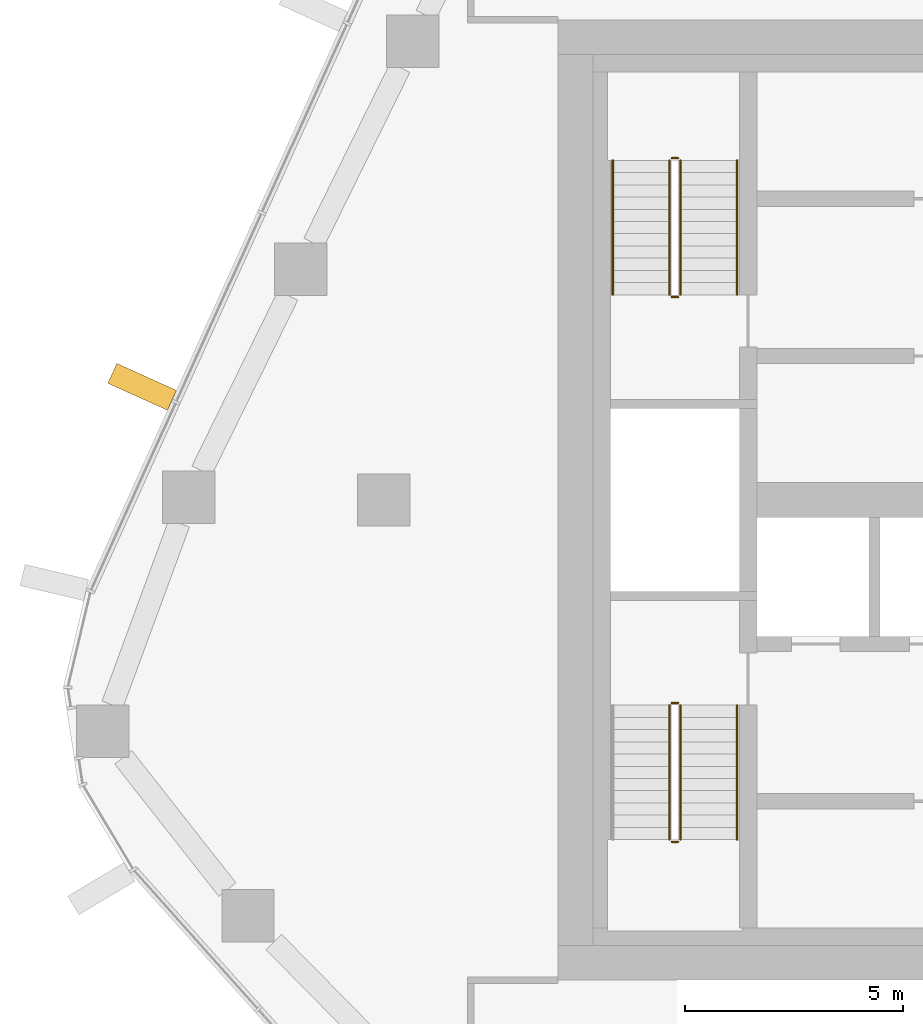
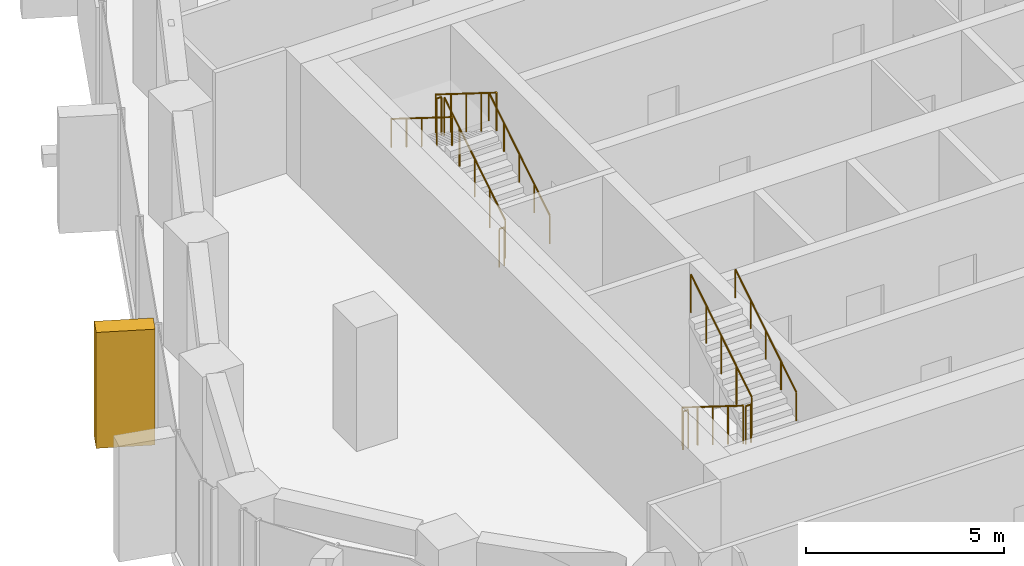
# One storey, part 15 of 17: 11 railings, 1 covering, 1 element without a shape of its own.
"""IFC4 building model written with IfcOpenShell, lengths in metres."""

import ifcopenshell
import ifcopenshell.guid

model = None  # the IFC model being written
_history = None  # IfcOwnerHistory: only IFC2X3 demands one
_inside = {}  # id of a spatial element -> (the spatial element, [elements in it])
_under = {}  # id of a project, library or spatial element -> (it, [spatial elements below it])
_declared = {}  # id of a project -> (the project, [libraries it declares])
_typed = {}  # id of a type object -> (the type object, [elements of that type])
_made_of = {}  # id of a material, layer set ... -> (it, [elements and type objects made of it])


def new_model(schema):
    """Start an empty IFC model of exactly this schema.

    Asked for "IFC4X3", IfcOpenShell would pick the latest addendum, in which some entities
    have other attributes; the version numbers below select the first issue.
    IFC2X3 requires an IfcOwnerHistory on every rooted entity: one is made here for all.
    """
    global model, _history
    if schema == "IFC4X3":
        model = ifcopenshell.file(schema_version=(4, 3, 0, 0))
    else:
        model = ifcopenshell.file(schema=schema)
    _inside.clear()
    _under.clear()
    _declared.clear()
    _typed.clear()
    _made_of.clear()
    _history = None
    if model.schema == "IFC2X3":
        org = make("IfcOrganization", Name="unknown")
        user = make(
            "IfcPersonAndOrganization",
            ThePerson=make("IfcPerson", FamilyName="unknown"),
            TheOrganization=org,
        )
        app = make(
            "IfcApplication",
            ApplicationDeveloper=org,
            Version="unknown",
            ApplicationFullName="unknown",
            ApplicationIdentifier="unknown",
        )
        _history = make(
            "IfcOwnerHistory",
            OwningUser=user,
            OwningApplication=app,
            ChangeAction="ADDED",
            CreationDate=0,
        )
    return model


def make(cls, **values):
    """One entity of the class cls with the attributes given. An attribute that is None is left unset."""
    return model.create_entity(
        cls, **{name: value for name, value in values.items() if value is not None}
    )


def rooted(cls, **values):
    """An entity with a GlobalId (a new one), such as an element, a storey or a relation."""
    return make(cls, GlobalId=ifcopenshell.guid.new(), OwnerHistory=_history, **values)


def si_unit(unit_type, name, prefix=None):
    """IfcSIUnit, for example si_unit("LENGTHUNIT", "METRE", prefix="MILLI")."""
    return make("IfcSIUnit", UnitType=unit_type, Prefix=prefix, Name=name)


def assignment(units):
    """IfcUnitAssignment: the units of a project."""
    return None if units is None else make("IfcUnitAssignment", Units=units)


def point(xyz):
    """IfcCartesianPoint."""
    return None if xyz is None else make("IfcCartesianPoint", Coordinates=xyz)


def direction(xyz):
    """IfcDirection."""
    return None if xyz is None else make("IfcDirection", DirectionRatios=xyz)


def frame(location, z_axis=None, x_axis=None):
    """IfcAxis2Placement3D, a coordinate frame: its origin and axes. An axis left out is left unset."""
    return make(
        "IfcAxis2Placement3D",
        Location=point(location),
        Axis=direction(z_axis),
        RefDirection=direction(x_axis),
    )


def frame_2d(location, x_axis=None):
    """IfcAxis2Placement2D, a coordinate frame in the plane: its origin and x axis."""
    return make(
        "IfcAxis2Placement2D", Location=point(location), RefDirection=direction(x_axis)
    )


def origin():
    """The frame at (0, 0, 0) with its axes left unset."""
    return frame((0.0, 0.0, 0.0))


def origin_2d():
    """The frame at (0, 0) in the plane with its x axis left unset."""
    return frame_2d((0.0, 0.0))


def place(relative_to, where):
    """IfcLocalPlacement: puts the frame where relative to a parent placement (None: the world)."""
    return make(
        "IfcLocalPlacement", PlacementRelTo=relative_to, RelativePlacement=where
    )


def context(
    kind, dimensions, precision=None, world=None, true_north=None, identifier=None
):
    """IfcGeometricRepresentationContext, for example the 3D "Model" context."""
    return make(
        "IfcGeometricRepresentationContext",
        ContextIdentifier=identifier,
        ContextType=kind,
        CoordinateSpaceDimension=dimensions,
        Precision=precision,
        WorldCoordinateSystem=world,
        TrueNorth=true_north,
    )


def subcontext(parent, identifier, kind, view, scale=None):
    """IfcGeometricRepresentationSubContext, for example "Body" below "Model"."""
    return make(
        "IfcGeometricRepresentationSubContext",
        ContextIdentifier=identifier,
        ContextType=kind,
        ParentContext=parent,
        TargetScale=scale,
        TargetView=view,
    )


def project(units=None, contexts=None):
    """IfcProject with its units and contexts."""
    return rooted(
        "IfcProject",
        Name="project",
        RepresentationContexts=contexts,
        UnitsInContext=assignment(units),
    )


def spatial(cls, under=None, at=None, **own):
    """A site, building, storey or space (cls), placed at a placement, below another one or the project."""
    s = rooted(cls, ObjectPlacement=at, **own)
    if under is not None:
        _under.setdefault(under.id(), (under, []))[1].append(s)
    return s


def profile(cls, at=None, kind="AREA", **sizes):
    """A parametric profile (cls). Its sizes go by their IFC names, for example OverallWidth=200.0."""
    return make(cls, ProfileType=kind, Position=at, **sizes)


def rectangle(**sizes):
    """IfcRectangleProfileDef."""
    return profile("IfcRectangleProfileDef", **sizes)


def circle(**sizes):
    """IfcCircleProfileDef."""
    return profile("IfcCircleProfileDef", **sizes)


def extrude(swept, where, along, depth):
    """IfcExtrudedAreaSolid: the profile swept, set in the frame where, extruded along a direction by depth."""
    return make(
        "IfcExtrudedAreaSolid",
        SweptArea=swept,
        Position=where,
        ExtrudedDirection=direction(along),
        Depth=depth,
    )


def shape(context_of_items, identifier, shape_type, items):
    """IfcShapeRepresentation: the items that make up one representation, for example the "Body"."""
    return make(
        "IfcShapeRepresentation",
        ContextOfItems=context_of_items,
        RepresentationIdentifier=identifier,
        RepresentationType=shape_type,
        Items=items,
    )


def material(Name=None, Category=None):
    """IfcMaterial."""
    return make("IfcMaterial", Name=Name, Category=Category)


def layer(
    of_material, thickness, ventilated=None, Name=None, Category=None, Priority=None
):
    """IfcMaterialLayer: one layer of a wall or slab, of a material (None: an air gap)."""
    return make(
        "IfcMaterialLayer",
        Material=of_material,
        LayerThickness=thickness,
        IsVentilated=ventilated,
        Name=Name,
        Category=Category,
        Priority=Priority,
    )


def layer_set(layers, Name=None):
    """IfcMaterialLayerSet."""
    return make("IfcMaterialLayerSet", MaterialLayers=layers, LayerSetName=Name)


def material_profile(
    of_material, cross_section, Name=None, Category=None, Priority=None
):
    """IfcMaterialProfile: a cross section and its material."""
    return make(
        "IfcMaterialProfile",
        Name=Name,
        Material=of_material,
        Profile=cross_section,
        Priority=Priority,
        Category=Category,
    )


def profile_set(profiles, Name=None, composite=None):
    """IfcMaterialProfileSet."""
    return make(
        "IfcMaterialProfileSet",
        Name=Name,
        MaterialProfiles=profiles,
        CompositeProfile=composite,
    )


def made_of(thing, what):
    """Note that an element or type object is made of a material, layer set ...; save() writes the relation."""
    if what is not None:
        _made_of.setdefault(what.id(), (what, []))[1].append(thing)
    return thing


def type_object(cls, material=None, **own):
    """A type object (cls), such as IfcWallType, which elements share."""
    return made_of(rooted(cls, **own), material)


def element(
    cls,
    number,
    at=None,
    inside=None,
    cuts=None,
    type_object=None,
    material=None,
    context=None,
    identifier="Body",
    shape_type=None,
    held_by="IfcProductDefinitionShape",
    body=None,
    shapes=None,
    **own,
):
    """One element of the class cls, such as IfcWall. Its Tag is "e" and its number.

    at: its placement. inside: the storey or other place that contains it. cuts: it is an
    opening in that element (IfcRelVoidsElement). A single representation is given by context,
    identifier, shape_type and body (its items); several are given by shapes. held_by: the class
    of the entity that holds the representations. save() writes the other relations.
    """
    e = rooted(cls, Tag="e%d" % number, ObjectPlacement=at, **own)
    if body is not None:
        shapes = [shape(context, identifier, shape_type, body)]
    if shapes is not None:
        e.Representation = make(held_by, Representations=shapes)
    if inside is not None:
        _inside.setdefault(inside.id(), (inside, []))[1].append(e)
    if cuts is not None:
        rooted(
            "IfcRelVoidsElement", RelatingBuildingElement=cuts, RelatedOpeningElement=e
        )
    if type_object is not None:
        _typed.setdefault(type_object.id(), (type_object, []))[1].append(e)
    return made_of(e, material)


def aggregate(whole, parts):
    """IfcRelAggregates: a whole, such as a stair, and the parts it consists of."""
    return rooted("IfcRelAggregates", RelatingObject=whole, RelatedObjects=parts)


def save(model, path):
    """Write the relations noted so far, then the file.

    IfcRelAggregates (storeys below a building ...), IfcRelContainedInSpatialStructure (elements
    in a storey), IfcRelDefinesByType, IfcRelAssociatesMaterial and IfcRelDeclares: one each for
    every whole, place, type object, material and project.
    """
    for whole, parts in _under.values():
        aggregate(whole, parts)
    for where, things in _inside.values():
        rooted(
            "IfcRelContainedInSpatialStructure",
            RelatedElements=things,
            RelatingStructure=where,
        )
    for kind, things in _typed.values():
        rooted("IfcRelDefinesByType", RelatedObjects=things, RelatingType=kind)
    for what, things in _made_of.values():
        rooted("IfcRelAssociatesMaterial", RelatedObjects=things, RelatingMaterial=what)
    for by, libraries in _declared.values():
        rooted("IfcRelDeclares", RelatingContext=by, RelatedDefinitions=libraries)
    model.write(path)


model = new_model("IFC4")

# Units and contexts
model_context = context("Model", 3, precision=1e-05, world=origin(), true_north=direction((0.0, 1.0)))
body_context = subcontext(model_context, "Body", "Model", "MODEL_VIEW")
ifc_project = project(units=[si_unit("LENGTHUNIT", "METRE"), si_unit("AREAUNIT", "SQUARE_METRE"), si_unit("VOLUMEUNIT", "CUBIC_METRE"), si_unit("PLANEANGLEUNIT", "RADIAN"), si_unit("MASSUNIT", "GRAM", prefix="KILO")], contexts=[model_context])

# Site, building, storey
site_placement = place(None, origin())
site = spatial("IfcSite", under=ifc_project, at=site_placement, CompositionType="ELEMENT")
building_placement = place(site_placement, origin())
building = spatial("IfcBuilding", under=site, at=building_placement, Name="Dongbaek Canopy Tower", CompositionType="ELEMENT")
storey_placement = place(building_placement, frame((0.0, 0.0, 175.39990234375)))
storey = spatial("IfcBuildingStorey", under=building, at=storey_placement, Name="L38", CompositionType="ELEMENT", Elevation=175.39990234375)

# Curtain wall, covering
ifc_material_1 = material(Name="Aluminium 6063-T6 pale anodised", Category="aluminium")
ifc_layer = layer(ifc_material_1, 0.199951171875)
ifc_layer_set = layer_set([ifc_layer], Name="CW-1 unitised tower curtain wall")
curtain_wall_type = type_object("IfcCurtainWallType", Name="CW-1 unitised tower curtain wall", PredefinedType="NOTDEFINED", material=ifc_layer_set)
curtain_wall_placement = place(storey_placement, origin())
curtain_wall = element("IfcCurtainWall", 1, at=curtain_wall_placement, inside=storey, type_object=curtain_wall_type, Name="CW-1 curtain wall F2.1", PredefinedType="NOTDEFINED")
ifc_material_2 = material(Name="Aluminium 6063-T6 pale metal fin", Category="aluminium")
ifc_material_profile = material_profile(ifc_material_2, rectangle(XDim=1.5, YDim=0.5, at=origin_2d()), Name="Fin FN1 500 x 1500 pale metal")
ifc_profile_set = profile_set([ifc_material_profile], Name="Aluminium 6063-T6 pale metal fin")
covering_type = type_object("IfcCoveringType", Name="Fin FN1 500 x 1500 pale metal", PredefinedType="CLADDING", material=ifc_profile_set)
covering_placement = place(storey_placement, frame((-23.53076171875, 2.59228515625, 0.1201171875), z_axis=(0.0, 0.0, 1.0), x_axis=(-0.911147578037, 0.412080199763, 0.0)))
covering = element("IfcCovering", 2, at=covering_placement, type_object=covering_type, Name="Fin F2.1.5", PredefinedType="CLADDING", context=body_context, shape_type="SweptSolid", body=[
    extrude(rectangle(XDim=1.5, YDim=0.5, at=origin_2d()), origin(), (0.0, 0.0, 1.0), 3.580078125),
])
aggregate(curtain_wall, [covering])

# Railings
ifc_material_3 = material(Name="Stainless steel tube and balusters", Category="steel")
railing_type_1 = type_object("IfcRailingType", Name="Stair guard 1200", PredefinedType="GUARDRAIL", material=ifc_material_3)
railing_1_placement = place(storey_placement, frame((-11.199951171875, 4.699951171875, 0.175048828125)))
element("IfcRailing", 3, at=railing_1_placement, inside=storey, type_object=railing_type_1, Name="L38 ST-C stair guard 1", PredefinedType="GUARDRAIL", context=body_context, shape_type="SweptSolid", body=[
    extrude(circle(Radius=0.02392578125, at=origin_2d()), frame((0.0, 0.0, 1.17578125), z_axis=(0.0, 0.847998304005, 0.529998940003), x_axis=(-1.0, 0.0, 0.0)), (0.0, 0.0, 1.0), 3.632080078125),
    extrude(circle(Radius=0.02099609375, at=origin_2d()), origin(), (0.0, 0.0, 1.0), 1.15185546875),
    extrude(circle(Radius=0.02099609375, at=origin_2d()), frame((0.0, 0.77001953125, 0.481201171875)), (0.0, 0.0, 1.0), 1.15185546875),
    extrude(circle(Radius=0.02099609375, at=origin_2d()), frame((0.0, 1.5400390625, 0.96240234375)), (0.0, 0.0, 1.0), 1.15185546875),
    extrude(circle(Radius=0.02099609375, at=origin_2d()), frame((0.0, 2.31005859375, 1.44384765625)), (0.0, 0.0, 1.0), 1.15185546875),
    extrude(circle(Radius=0.02099609375, at=origin_2d()), frame((0.0, 3.080078125, 1.925048828125)), (0.0, 0.0, 1.0), 1.15185546875),
])
railing_2_placement = place(storey_placement, frame((-11.25, 7.830078125, 2.10009765625)))
element("IfcRailing", 4, at=railing_2_placement, inside=storey, type_object=railing_type_1, Name="L38 ST-C stair guard 2", PredefinedType="GUARDRAIL", context=body_context, shape_type="SweptSolid", body=[
    extrude(circle(Radius=0.02392578125, at=origin_2d()), frame((0.0, 0.0, 1.17578125), z_axis=(-1.0, 0.0, 0.0), x_axis=(0.0, -1.0, 0.0)), (0.0, 0.0, 1.0), 0.14990234375),
    extrude(circle(Radius=0.02099609375, at=origin_2d()), origin(), (0.0, 0.0, 1.0), 1.15185546875),
    extrude(circle(Radius=0.02099609375, at=origin_2d()), frame((-0.14990234375, 0.0, 0.0)), (0.0, 0.0, 1.0), 1.15185546875),
])
railing_3_placement = place(storey_placement, frame((-11.449951171875, 7.780029296875, 2.275146484375)))
element("IfcRailing", 5, at=railing_3_placement, inside=storey, type_object=railing_type_1, Name="L38 ST-C stair guard 3", PredefinedType="GUARDRAIL", context=body_context, shape_type="SweptSolid", body=[
    extrude(circle(Radius=0.02392578125, at=origin_2d()), frame((0.0, 0.0, 1.17578125), z_axis=(0.0, -0.847998304005, 0.529998940003), x_axis=(1.0, 0.0, 0.0)), (0.0, 0.0, 1.0), 3.632080078125),
    extrude(circle(Radius=0.02099609375, at=origin_2d()), origin(), (0.0, 0.0, 1.0), 1.15185546875),
    extrude(circle(Radius=0.02099609375, at=origin_2d()), frame((0.0, -0.77001953125, 0.481201171875)), (0.0, 0.0, 1.0), 1.15185546875),
    extrude(circle(Radius=0.02099609375, at=origin_2d()), frame((0.0, -1.5400390625, 0.96240234375)), (0.0, 0.0, 1.0), 1.15185546875),
    extrude(circle(Radius=0.02099609375, at=origin_2d()), frame((0.0, -2.31005859375, 1.44384765625)), (0.0, 0.0, 1.0), 1.15185546875),
    extrude(circle(Radius=0.02099609375, at=origin_2d()), frame((0.0, -3.080078125, 1.925048828125)), (0.0, 0.0, 1.0), 1.15185546875),
])
railing_4_placement = place(storey_placement, frame((-11.25, 4.64990234375, 0.0)))
element("IfcRailing", 6, at=railing_4_placement, inside=storey, type_object=railing_type_1, Name="L38 ST-C stair guard 4", PredefinedType="GUARDRAIL", context=body_context, shape_type="SweptSolid", body=[
    extrude(circle(Radius=0.02392578125, at=origin_2d()), frame((0.0, 0.0, 1.17578125), z_axis=(-1.0, 0.0, 0.0), x_axis=(0.0, -1.0, 0.0)), (0.0, 0.0, 1.0), 0.14990234375),
    extrude(circle(Radius=0.02099609375, at=origin_2d()), origin(), (0.0, 0.0, 1.0), 1.15185546875),
    extrude(circle(Radius=0.02099609375, at=origin_2d()), frame((-0.14990234375, 0.0, 0.0)), (0.0, 0.0, 1.0), 1.15185546875),
])
railing_5_placement = place(storey_placement, frame((-11.449951171875, -4.699951171875, 0.175048828125)))
element("IfcRailing", 7, at=railing_5_placement, inside=storey, type_object=railing_type_1, Name="L38 ST-D stair guard 1", PredefinedType="GUARDRAIL", context=body_context, shape_type="SweptSolid", body=[
    extrude(circle(Radius=0.02392578125, at=origin_2d()), frame((0.0, 0.0, 1.17578125), z_axis=(0.0, -0.847998304005, 0.529998940003), x_axis=(1.0, 0.0, 0.0)), (0.0, 0.0, 1.0), 3.632080078125),
    extrude(circle(Radius=0.02099609375, at=origin_2d()), origin(), (0.0, 0.0, 1.0), 1.15185546875),
    extrude(circle(Radius=0.02099609375, at=origin_2d()), frame((0.0, -0.77001953125, 0.481201171875)), (0.0, 0.0, 1.0), 1.15185546875),
    extrude(circle(Radius=0.02099609375, at=origin_2d()), frame((0.0, -1.5400390625, 0.96240234375)), (0.0, 0.0, 1.0), 1.15185546875),
    extrude(circle(Radius=0.02099609375, at=origin_2d()), frame((0.0, -2.31005859375, 1.44384765625)), (0.0, 0.0, 1.0), 1.15185546875),
    extrude(circle(Radius=0.02099609375, at=origin_2d()), frame((0.0, -3.080078125, 1.925048828125)), (0.0, 0.0, 1.0), 1.15185546875),
])
railing_6_placement = place(storey_placement, frame((-11.39990234375, -7.830078125, 2.10009765625)))
element("IfcRailing", 8, at=railing_6_placement, inside=storey, type_object=railing_type_1, Name="L38 ST-D stair guard 2", PredefinedType="GUARDRAIL", context=body_context, shape_type="SweptSolid", body=[
    extrude(circle(Radius=0.02392578125, at=origin_2d()), frame((0.0, 0.0, 1.17578125), z_axis=(1.0, 0.0, 0.0), x_axis=(0.0, 1.0, 0.0)), (0.0, 0.0, 1.0), 0.14990234375),
    extrude(circle(Radius=0.02099609375, at=origin_2d()), origin(), (0.0, 0.0, 1.0), 1.15185546875),
    extrude(circle(Radius=0.02099609375, at=origin_2d()), frame((0.14990234375, 0.0, 0.0)), (0.0, 0.0, 1.0), 1.15185546875),
])
railing_7_placement = place(storey_placement, frame((-11.199951171875, -7.780029296875, 2.275146484375)))
element("IfcRailing", 9, at=railing_7_placement, inside=storey, type_object=railing_type_1, Name="L38 ST-D stair guard 3", PredefinedType="GUARDRAIL", context=body_context, shape_type="SweptSolid", body=[
    extrude(circle(Radius=0.02392578125, at=origin_2d()), frame((0.0, 0.0, 1.17578125), z_axis=(0.0, 0.847998304005, 0.529998940003), x_axis=(-1.0, 0.0, 0.0)), (0.0, 0.0, 1.0), 3.632080078125),
    extrude(circle(Radius=0.02099609375, at=origin_2d()), origin(), (0.0, 0.0, 1.0), 1.15185546875),
    extrude(circle(Radius=0.02099609375, at=origin_2d()), frame((0.0, 0.77001953125, 0.481201171875)), (0.0, 0.0, 1.0), 1.15185546875),
    extrude(circle(Radius=0.02099609375, at=origin_2d()), frame((0.0, 1.5400390625, 0.96240234375)), (0.0, 0.0, 1.0), 1.15185546875),
    extrude(circle(Radius=0.02099609375, at=origin_2d()), frame((0.0, 2.31005859375, 1.44384765625)), (0.0, 0.0, 1.0), 1.15185546875),
    extrude(circle(Radius=0.02099609375, at=origin_2d()), frame((0.0, 3.080078125, 1.925048828125)), (0.0, 0.0, 1.0), 1.15185546875),
])
railing_8_placement = place(storey_placement, frame((-11.39990234375, -4.64990234375, 0.0)))
element("IfcRailing", 10, at=railing_8_placement, inside=storey, type_object=railing_type_1, Name="L38 ST-D stair guard 4", PredefinedType="GUARDRAIL", context=body_context, shape_type="SweptSolid", body=[
    extrude(circle(Radius=0.02392578125, at=origin_2d()), frame((0.0, 0.0, 1.17578125), z_axis=(1.0, 0.0, 0.0), x_axis=(0.0, 1.0, 0.0)), (0.0, 0.0, 1.0), 0.14990234375),
    extrude(circle(Radius=0.02099609375, at=origin_2d()), origin(), (0.0, 0.0, 1.0), 1.15185546875),
    extrude(circle(Radius=0.02099609375, at=origin_2d()), frame((0.14990234375, 0.0, 0.0)), (0.0, 0.0, 1.0), 1.15185546875),
])
ifc_material_4 = material(Name="Stainless steel tube", Category="steel")
railing_type_2 = type_object("IfcRailingType", Name="Stair handrail 900", PredefinedType="HANDRAIL", material=ifc_material_4)
railing_9_placement = place(storey_placement, frame((-9.89990234375, 4.699951171875, 0.175048828125)))
element("IfcRailing", 11, at=railing_9_placement, inside=storey, type_object=railing_type_2, Name="L38 ST-C stair handrail 1", PredefinedType="HANDRAIL", context=body_context, shape_type="SweptSolid", body=[
    extrude(circle(Radius=0.02392578125, at=origin_2d()), frame((0.0, 0.0, 0.8759765625), z_axis=(0.0, 0.847998304005, 0.529998940003), x_axis=(-1.0, 0.0, 0.0)), (0.0, 0.0, 1.0), 3.632080078125),
    extrude(circle(Radius=0.02099609375, at=origin_2d()), origin(), (0.0, 0.0, 1.0), 0.851806640625),
    extrude(circle(Radius=0.02099609375, at=origin_2d()), frame((0.0, 0.77001953125, 0.481201171875)), (0.0, 0.0, 1.0), 0.851806640625),
    extrude(circle(Radius=0.02099609375, at=origin_2d()), frame((0.0, 1.5400390625, 0.96240234375)), (0.0, 0.0, 1.0), 0.851806640625),
    extrude(circle(Radius=0.02099609375, at=origin_2d()), frame((0.0, 2.31005859375, 1.44384765625)), (0.0, 0.0, 1.0), 0.851806640625),
    extrude(circle(Radius=0.02099609375, at=origin_2d()), frame((0.0, 3.080078125, 1.925048828125)), (0.0, 0.0, 1.0), 0.851806640625),
])
railing_10_placement = place(storey_placement, frame((-12.75, 7.780029296875, 2.275146484375)))
element("IfcRailing", 12, at=railing_10_placement, inside=storey, type_object=railing_type_2, Name="L38 ST-C stair handrail 2", PredefinedType="HANDRAIL", context=body_context, shape_type="SweptSolid", body=[
    extrude(circle(Radius=0.02392578125, at=origin_2d()), frame((0.0, 0.0, 0.8759765625), z_axis=(0.0, -0.847998304005, 0.529998940003), x_axis=(1.0, 0.0, 0.0)), (0.0, 0.0, 1.0), 3.632080078125),
    extrude(circle(Radius=0.02099609375, at=origin_2d()), origin(), (0.0, 0.0, 1.0), 0.851806640625),
    extrude(circle(Radius=0.02099609375, at=origin_2d()), frame((0.0, -0.77001953125, 0.481201171875)), (0.0, 0.0, 1.0), 0.851806640625),
    extrude(circle(Radius=0.02099609375, at=origin_2d()), frame((0.0, -1.5400390625, 0.96240234375)), (0.0, 0.0, 1.0), 0.851806640625),
    extrude(circle(Radius=0.02099609375, at=origin_2d()), frame((0.0, -2.31005859375, 1.44384765625)), (0.0, 0.0, 1.0), 0.851806640625),
    extrude(circle(Radius=0.02099609375, at=origin_2d()), frame((0.0, -3.080078125, 1.925048828125)), (0.0, 0.0, 1.0), 0.851806640625),
])
railing_11_placement = place(storey_placement, frame((-9.89990234375, -7.780029296875, 2.275146484375)))
element("IfcRailing", 13, at=railing_11_placement, inside=storey, type_object=railing_type_2, Name="L38 ST-D stair handrail 2", PredefinedType="HANDRAIL", context=body_context, shape_type="SweptSolid", body=[
    extrude(circle(Radius=0.02392578125, at=origin_2d()), frame((0.0, 0.0, 0.8759765625), z_axis=(0.0, 0.847998304005, 0.529998940003), x_axis=(-1.0, 0.0, 0.0)), (0.0, 0.0, 1.0), 3.632080078125),
    extrude(circle(Radius=0.02099609375, at=origin_2d()), origin(), (0.0, 0.0, 1.0), 0.851806640625),
    extrude(circle(Radius=0.02099609375, at=origin_2d()), frame((0.0, 0.77001953125, 0.481201171875)), (0.0, 0.0, 1.0), 0.851806640625),
    extrude(circle(Radius=0.02099609375, at=origin_2d()), frame((0.0, 1.5400390625, 0.96240234375)), (0.0, 0.0, 1.0), 0.851806640625),
    extrude(circle(Radius=0.02099609375, at=origin_2d()), frame((0.0, 2.31005859375, 1.44384765625)), (0.0, 0.0, 1.0), 0.851806640625),
    extrude(circle(Radius=0.02099609375, at=origin_2d()), frame((0.0, 3.080078125, 1.925048828125)), (0.0, 0.0, 1.0), 0.851806640625),
])

save(model, "model.ifc")
